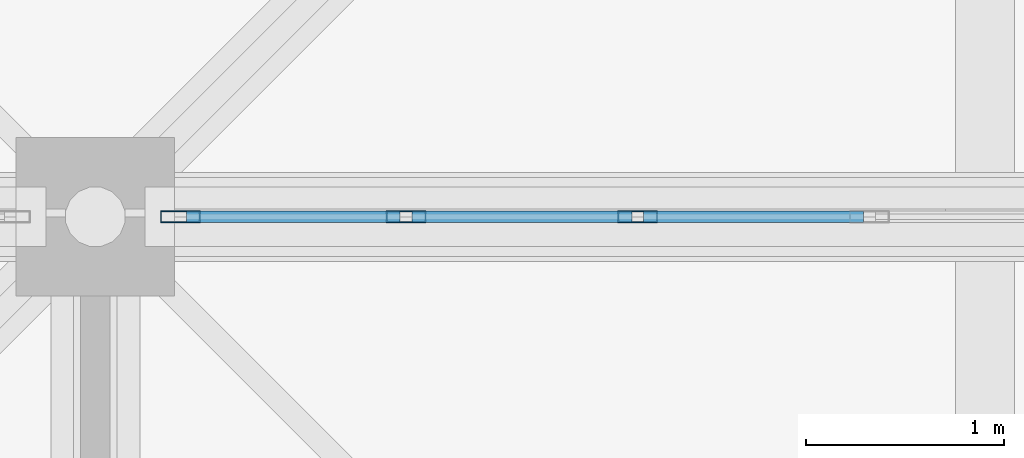
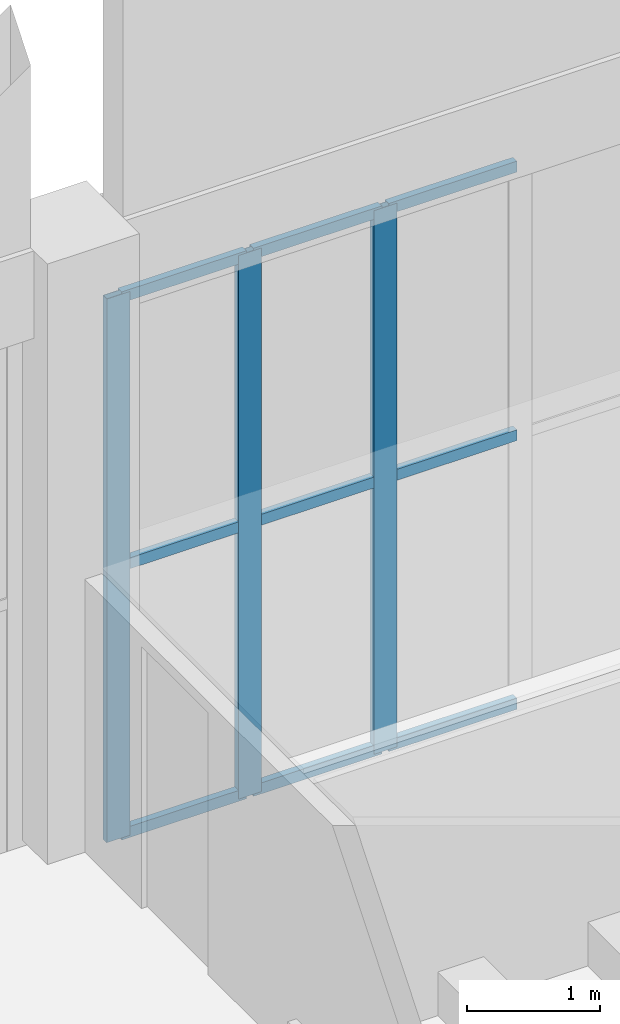
# One storey, part 135 of 437: 12 members, 1 element without a shape of its own.
"""IFC4 building model written with IfcOpenShell, lengths in metres."""

from ifc_helpers import new_model, si_unit, direction, frame, origin, origin_2d, place, context, subcontext, project, spatial, hollow_rectangle, extrude, material, layer, layer_set, material_profile, profile_set, type_object, element, aggregate, save


model = new_model("IFC4")

# Units and contexts
model_context = context("Model", 3, precision=1e-05, world=origin(), true_north=direction((0.0, 1.0)))
body_context = subcontext(model_context, "Body", "Model", "MODEL_VIEW")
ifc_project = project(units=[si_unit("LENGTHUNIT", "METRE"), si_unit("AREAUNIT", "SQUARE_METRE"), si_unit("VOLUMEUNIT", "CUBIC_METRE"), si_unit("PLANEANGLEUNIT", "RADIAN"), si_unit("MASSUNIT", "GRAM", prefix="KILO")], contexts=[model_context])

# Site, building, storey
site_placement = place(None, origin())
site = spatial("IfcSite", under=ifc_project, at=site_placement, CompositionType="ELEMENT")
building_placement = place(site_placement, origin())
building = spatial("IfcBuilding", under=site, at=building_placement, Name="Opaline Strait Convention Centre", CompositionType="ELEMENT")
storey_placement = place(building_placement, frame((0.0, 0.0, 11.5)))
storey = spatial("IfcBuildingStorey", under=building, at=storey_placement, Name="L02", CompositionType="ELEMENT", Elevation=11.5)

# Curtain wall, members
ifc_material_1 = material(Name="Aluminium framed double glazing", Category="aluminium")
ifc_layer = layer(ifc_material_1, 0.199951171875)
ifc_layer_set = layer_set([ifc_layer], Name="Aluminium framed double glazing")
curtain_wall_type = type_object("IfcCurtainWallType", Name="Curtain wall 1250", PredefinedType="NOTDEFINED", material=ifc_layer_set)
curtain_wall_placement = place(storey_placement, origin())
curtain_wall = element("IfcCurtainWall", 1, at=curtain_wall_placement, inside=storey, type_object=curtain_wall_type, Name="Curtain wall N-54-L02", PredefinedType="NOTDEFINED")
ifc_material_2 = material(Name="Aluminium alloy 6063", Category="aluminium")
ifc_material_profile_1 = material_profile(ifc_material_2, hollow_rectangle(XDim=0.06005859375, YDim=0.199951171875, WallThickness=0.00390625, at=origin_2d()), Name="MULLION 60x200x4")
ifc_profile_set_1 = profile_set([ifc_material_profile_1], Name="Aluminium alloy 6063")
member_type_1 = type_object("IfcMemberType", Name="Curtain wall mullion 60 x 200", PredefinedType="MULLION", material=ifc_profile_set_1)
member_1_placement = place(storey_placement, frame((54.429931640625, 180.0, -0.280029296875), z_axis=(0.0, 0.0, 1.0), x_axis=(0.0, 1.0, 0.0)))
member_1 = element("IfcMember", 2, at=member_1_placement, type_object=member_type_1, Name="PCW mullion 1", PredefinedType="MULLION", context=body_context, shape_type="SweptSolid", body=[
    extrude(hollow_rectangle(XDim=0.06005859375, YDim=0.199951171875, WallThickness=0.00390625, at=origin_2d()), origin(), (0.0, 0.0, 1.0), 4.97998046875),
])
member_2_placement = place(storey_placement, frame((55.5712890625, 180.0, -0.280029296875), z_axis=(0.0, 0.0, 1.0), x_axis=(0.0, 1.0, 0.0)))
member_2 = element("IfcMember", 3, at=member_2_placement, type_object=member_type_1, Name="PCW mullion 2", PredefinedType="MULLION", context=body_context, shape_type="SweptSolid", body=[
    extrude(hollow_rectangle(XDim=0.06005859375, YDim=0.199951171875, WallThickness=0.00390625, at=origin_2d()), origin(), (0.0, 0.0, 1.0), 4.97998046875),
])
member_3_placement = place(storey_placement, frame((56.742919921875, 180.0, -0.280029296875), z_axis=(0.0, 0.0, 1.0), x_axis=(0.0, 1.0, 0.0)))
member_3 = element("IfcMember", 4, at=member_3_placement, type_object=member_type_1, Name="PCW mullion 3", PredefinedType="MULLION", context=body_context, shape_type="SweptSolid", body=[
    extrude(hollow_rectangle(XDim=0.06005859375, YDim=0.199951171875, WallThickness=0.00390625, at=origin_2d()), origin(), (0.0, 0.0, 1.0), 4.97998046875),
])
ifc_material_profile_2 = material_profile(ifc_material_2, hollow_rectangle(XDim=0.06005859375, YDim=0.10009765625, WallThickness=0.0029296875, at=origin_2d()), Name="TRANSOM 60x100x3")
ifc_profile_set_2 = profile_set([ifc_material_profile_2], Name="Aluminium alloy 6063")
member_type_2 = type_object("IfcMemberType", Name="Curtain wall transom 60 x 100", PredefinedType="USERDEFINED", material=ifc_profile_set_2)
member_4_placement = place(storey_placement, frame((54.4599609375, 180.0, -0.25), z_axis=(1.0, 0.0, 0.0), x_axis=(0.0, 1.0, 0.0)))
member_4 = element("IfcMember", 5, at=member_4_placement, type_object=member_type_2, Name="PCW transom 1.1", ObjectType="TRANSOM", PredefinedType="USERDEFINED", context=body_context, shape_type="SweptSolid", body=[
    extrude(hollow_rectangle(XDim=0.06005859375, YDim=0.10009765625, WallThickness=0.0029296875, at=origin_2d()), origin(), (0.0, 0.0, 1.0), 1.081298828125),
])
member_5_placement = place(storey_placement, frame((54.4599609375, 180.0, 2.2099609375), z_axis=(1.0, 0.0, 0.0), x_axis=(0.0, 1.0, 0.0)))
member_5 = element("IfcMember", 6, at=member_5_placement, type_object=member_type_2, Name="PCW transom 1.2", ObjectType="TRANSOM", PredefinedType="USERDEFINED", context=body_context, shape_type="SweptSolid", body=[
    extrude(hollow_rectangle(XDim=0.06005859375, YDim=0.10009765625, WallThickness=0.0029296875, at=origin_2d()), origin(), (0.0, 0.0, 1.0), 1.081298828125),
])
member_6_placement = place(storey_placement, frame((54.4599609375, 180.0, 4.669921875), z_axis=(1.0, 0.0, 0.0), x_axis=(0.0, 1.0, 0.0)))
member_6 = element("IfcMember", 7, at=member_6_placement, type_object=member_type_2, Name="PCW transom 1.3", ObjectType="TRANSOM", PredefinedType="USERDEFINED", context=body_context, shape_type="SweptSolid", body=[
    extrude(hollow_rectangle(XDim=0.06005859375, YDim=0.10009765625, WallThickness=0.0029296875, at=origin_2d()), origin(), (0.0, 0.0, 1.0), 1.081298828125),
])
member_7_placement = place(storey_placement, frame((55.601318359375, 180.0, -0.25), z_axis=(1.0, 0.0, 0.0), x_axis=(0.0, 1.0, 0.0)))
member_7 = element("IfcMember", 8, at=member_7_placement, type_object=member_type_2, Name="PCW transom 2.1", ObjectType="TRANSOM", PredefinedType="USERDEFINED", context=body_context, shape_type="SweptSolid", body=[
    extrude(hollow_rectangle(XDim=0.06005859375, YDim=0.10009765625, WallThickness=0.0029296875, at=origin_2d()), origin(), (0.0, 0.0, 1.0), 1.111572265625),
])
member_8_placement = place(storey_placement, frame((55.601318359375, 180.0, 2.2099609375), z_axis=(1.0, 0.0, 0.0), x_axis=(0.0, 1.0, 0.0)))
member_8 = element("IfcMember", 9, at=member_8_placement, type_object=member_type_2, Name="PCW transom 2.2", ObjectType="TRANSOM", PredefinedType="USERDEFINED", context=body_context, shape_type="SweptSolid", body=[
    extrude(hollow_rectangle(XDim=0.06005859375, YDim=0.10009765625, WallThickness=0.0029296875, at=origin_2d()), origin(), (0.0, 0.0, 1.0), 1.111572265625),
])
member_9_placement = place(storey_placement, frame((55.601318359375, 180.0, 4.669921875), z_axis=(1.0, 0.0, 0.0), x_axis=(0.0, 1.0, 0.0)))
member_9 = element("IfcMember", 10, at=member_9_placement, type_object=member_type_2, Name="PCW transom 2.3", ObjectType="TRANSOM", PredefinedType="USERDEFINED", context=body_context, shape_type="SweptSolid", body=[
    extrude(hollow_rectangle(XDim=0.06005859375, YDim=0.10009765625, WallThickness=0.0029296875, at=origin_2d()), origin(), (0.0, 0.0, 1.0), 1.111572265625),
])
member_10_placement = place(storey_placement, frame((56.772705078125, 180.0, -0.25), z_axis=(1.0, 0.0, 0.0), x_axis=(0.0, 1.0, 0.0)))
member_10 = element("IfcMember", 11, at=member_10_placement, type_object=member_type_2, Name="PCW transom 3.1", ObjectType="TRANSOM", PredefinedType="USERDEFINED", context=body_context, shape_type="SweptSolid", body=[
    extrude(hollow_rectangle(XDim=0.06005859375, YDim=0.10009765625, WallThickness=0.0029296875, at=origin_2d()), origin(), (0.0, 0.0, 1.0), 1.111572265625),
])
member_11_placement = place(storey_placement, frame((56.772705078125, 180.0, 2.2099609375), z_axis=(1.0, 0.0, 0.0), x_axis=(0.0, 1.0, 0.0)))
member_11 = element("IfcMember", 12, at=member_11_placement, type_object=member_type_2, Name="PCW transom 3.2", ObjectType="TRANSOM", PredefinedType="USERDEFINED", context=body_context, shape_type="SweptSolid", body=[
    extrude(hollow_rectangle(XDim=0.06005859375, YDim=0.10009765625, WallThickness=0.0029296875, at=origin_2d()), origin(), (0.0, 0.0, 1.0), 1.111572265625),
])
member_12_placement = place(storey_placement, frame((56.772705078125, 180.0, 4.669921875), z_axis=(1.0, 0.0, 0.0), x_axis=(0.0, 1.0, 0.0)))
member_12 = element("IfcMember", 13, at=member_12_placement, type_object=member_type_2, Name="PCW transom 3.3", ObjectType="TRANSOM", PredefinedType="USERDEFINED", context=body_context, shape_type="SweptSolid", body=[
    extrude(hollow_rectangle(XDim=0.06005859375, YDim=0.10009765625, WallThickness=0.0029296875, at=origin_2d()), origin(), (0.0, 0.0, 1.0), 1.111572265625),
])
aggregate(curtain_wall, [member_1, member_2, member_3, member_4, member_5, member_6, member_7, member_8, member_9, member_10, member_11, member_12])

save(model, "model.ifc")
